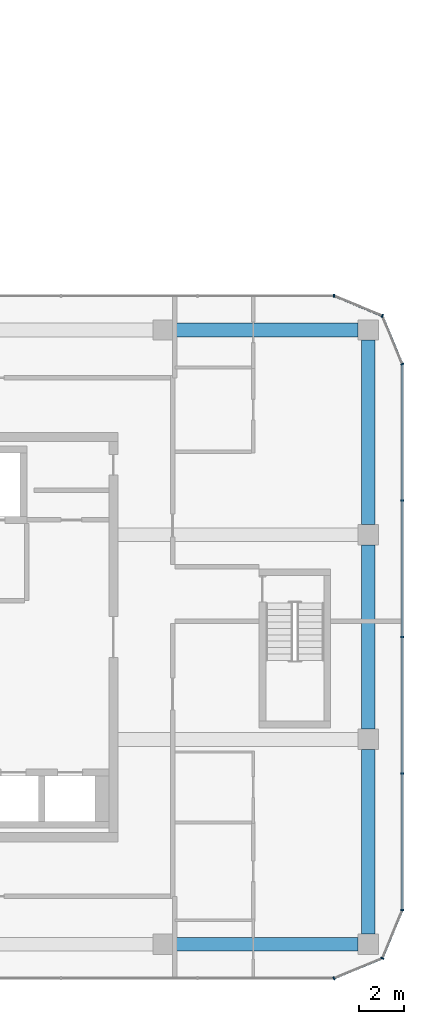
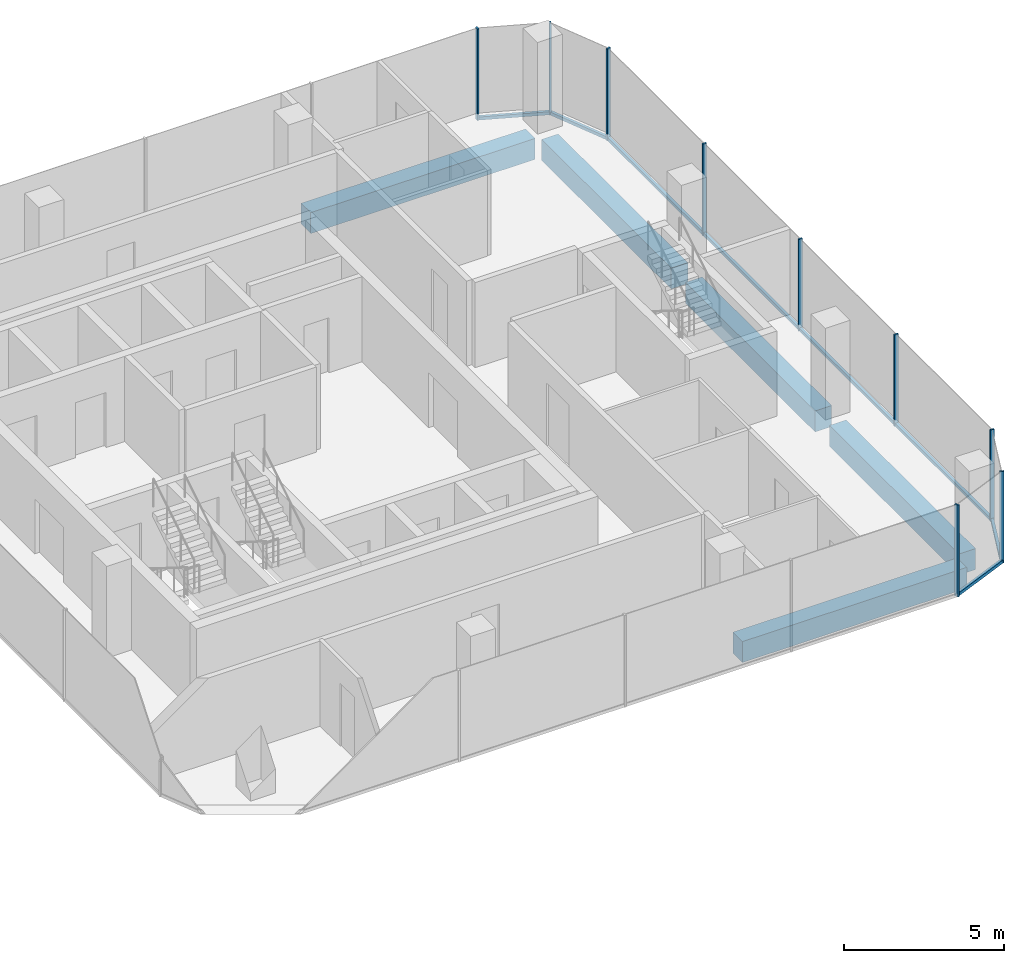
# One storey, part 10 of 22: 14 members, 5 beams, 6 elements without a shape of their own.
"""IFC4 building model written with IfcOpenShell, lengths in metres."""

from ifc_helpers import new_model, si_unit, direction, frame, origin, origin_2d, place, context, subcontext, project, spatial, rectangle, extrude, material, layer, layer_set, material_profile, profile_set, type_object, element, aggregate, save


model = new_model("IFC4")

# Units and contexts
model_context = context("Model", 3, precision=1e-05, world=origin(), true_north=direction((0.0, 1.0)))
body_context = subcontext(model_context, "Body", "Model", "MODEL_VIEW")
ifc_project = project(units=[si_unit("LENGTHUNIT", "METRE"), si_unit("AREAUNIT", "SQUARE_METRE"), si_unit("VOLUMEUNIT", "CUBIC_METRE"), si_unit("PLANEANGLEUNIT", "RADIAN"), si_unit("MASSUNIT", "GRAM", prefix="KILO")], contexts=[model_context])

# Site, building, storey
site_placement = place(None, origin())
site = spatial("IfcSite", under=ifc_project, at=site_placement, CompositionType="ELEMENT")
building_placement = place(site_placement, origin())
building = spatial("IfcBuilding", under=site, at=building_placement, Name="Plateau Cross Towers", CompositionType="ELEMENT")
storey_placement = place(building_placement, frame((0.0, 0.0, 106.300048828125)))
storey = spatial("IfcBuildingStorey", under=building, at=storey_placement, Name="L27", CompositionType="ELEMENT", Elevation=106.300048828125)

# Curtain wall, member
ifc_material_1 = material(Name="Dark low-iron glass", Category="glass")
ifc_layer = layer(ifc_material_1, 0.239990234375)
ifc_layer_set = layer_set([ifc_layer], Name="Dark low-iron glass")
curtain_wall_type = type_object("IfcCurtainWallType", Name="Curtain wall office unitised CW-F", PredefinedType="NOTDEFINED", material=ifc_layer_set)
curtain_wall_1_placement = place(storey_placement, origin())
curtain_wall_1 = element("IfcCurtainWall", 1, at=curtain_wall_1_placement, inside=storey, type_object=curtain_wall_type, Name="ENV/B/L27/B990_-60", PredefinedType="NOTDEFINED")
ifc_material_2 = material(Name="Black anodised aluminium", Category="aluminium")
ifc_material_profile_1 = material_profile(ifc_material_2, rectangle(XDim=0.06005859375, YDim=0.139892578125, at=origin_2d()), Name="MULLION 60x140")
ifc_profile_set_1 = profile_set([ifc_material_profile_1], Name="Black anodised aluminium")
member_type_1 = type_object("IfcMemberType", Name="Mullion 60x140 office unitised", PredefinedType="MULLION", material=ifc_profile_set_1)
member_1_placement = place(storey_placement, frame((99.0, -6.0, -0.25), z_axis=(0.0, 0.0, 1.0), x_axis=(0.923879457699, 0.382683612978, 0.0)))
member_1 = element("IfcMember", 2, at=member_1_placement, type_object=member_type_1, Name="CW-F mullion 1", PredefinedType="MULLION", context=body_context, shape_type="SweptSolid", body=[
    extrude(rectangle(XDim=0.06005859375, YDim=0.139892578125, at=origin_2d()), origin(), (0.0, 0.0, 1.0), 3.5),
])

curtain_wall_2_placement = place(storey_placement, origin())
curtain_wall_2 = element("IfcCurtainWall", 3, at=curtain_wall_2_placement, inside=storey, type_object=curtain_wall_type, Name="ENV/B/L27/B1011_-51", PredefinedType="NOTDEFINED")
member_2_placement = place(storey_placement, frame((101.121337890625, -5.121337890625, -0.25), z_axis=(0.0, 0.0, 1.0), x_axis=(0.382683612978, 0.923879457699, 0.0)))
member_2 = element("IfcMember", 4, at=member_2_placement, type_object=member_type_1, Name="CW-F mullion 1", PredefinedType="MULLION", context=body_context, shape_type="SweptSolid", body=[
    extrude(rectangle(XDim=0.06005859375, YDim=0.139892578125, at=origin_2d()), origin(), (0.0, 0.0, 1.0), 3.5),
])

# Curtain wall, members
curtain_wall_3_placement = place(storey_placement, origin())
curtain_wall_3 = element("IfcCurtainWall", 5, at=curtain_wall_3_placement, inside=storey, type_object=curtain_wall_type, Name="ENV/B/L27/B1020_-30", PredefinedType="NOTDEFINED")
member_3_placement = place(storey_placement, frame((102.0, -3.0, -0.25), z_axis=(0.0, 0.0, 1.0), x_axis=(0.0, 1.0, 0.0)))
member_3 = element("IfcMember", 6, at=member_3_placement, type_object=member_type_1, Name="CW-F mullion 1", PredefinedType="MULLION", context=body_context, shape_type="SweptSolid", body=[
    extrude(rectangle(XDim=0.06005859375, YDim=0.139892578125, at=origin_2d()), origin(), (0.0, 0.0, 1.0), 3.5),
])
member_4_placement = place(storey_placement, frame((102.0, 3.0, -0.25), z_axis=(0.0, 0.0, 1.0), x_axis=(0.0, 1.0, 0.0)))
member_4 = element("IfcMember", 7, at=member_4_placement, type_object=member_type_1, Name="CW-F mullion 2", PredefinedType="MULLION", context=body_context, shape_type="SweptSolid", body=[
    extrude(rectangle(XDim=0.06005859375, YDim=0.139892578125, at=origin_2d()), origin(), (0.0, 0.0, 1.0), 3.5),
])
member_5_placement = place(storey_placement, frame((102.0, 9.0, -0.25), z_axis=(0.0, 0.0, 1.0), x_axis=(0.0, 1.0, 0.0)))
member_5 = element("IfcMember", 8, at=member_5_placement, type_object=member_type_1, Name="CW-F mullion 3", PredefinedType="MULLION", context=body_context, shape_type="SweptSolid", body=[
    extrude(rectangle(XDim=0.06005859375, YDim=0.139892578125, at=origin_2d()), origin(), (0.0, 0.0, 1.0), 3.5),
])
member_6_placement = place(storey_placement, frame((102.0, 15.0, -0.25), z_axis=(0.0, 0.0, 1.0), x_axis=(0.0, 1.0, 0.0)))
member_6 = element("IfcMember", 9, at=member_6_placement, type_object=member_type_1, Name="CW-F mullion 4", PredefinedType="MULLION", context=body_context, shape_type="SweptSolid", body=[
    extrude(rectangle(XDim=0.06005859375, YDim=0.139892578125, at=origin_2d()), origin(), (0.0, 0.0, 1.0), 3.5),
])

# Curtain wall, member
curtain_wall_4_placement = place(storey_placement, origin())
curtain_wall_4 = element("IfcCurtainWall", 10, at=curtain_wall_4_placement, inside=storey, type_object=curtain_wall_type, Name="ENV/B/L27/B1020_210", PredefinedType="NOTDEFINED")
member_7_placement = place(storey_placement, frame((102.0, 21.0, -0.25), z_axis=(0.0, 0.0, 1.0), x_axis=(-0.382683612978, 0.923879457699, 0.0)))
member_7 = element("IfcMember", 11, at=member_7_placement, type_object=member_type_1, Name="CW-F mullion 1", PredefinedType="MULLION", context=body_context, shape_type="SweptSolid", body=[
    extrude(rectangle(XDim=0.06005859375, YDim=0.139892578125, at=origin_2d()), origin(), (0.0, 0.0, 1.0), 3.5),
])

curtain_wall_5_placement = place(storey_placement, origin())
curtain_wall_5 = element("IfcCurtainWall", 12, at=curtain_wall_5_placement, inside=storey, type_object=curtain_wall_type, Name="ENV/B/L27/B1011_231", PredefinedType="NOTDEFINED")
member_8_placement = place(storey_placement, frame((101.121337890625, 23.121337890625, -0.25), z_axis=(0.0, 0.0, 1.0), x_axis=(-0.923879457699, 0.382683612978, 0.0)))
member_8 = element("IfcMember", 13, at=member_8_placement, type_object=member_type_1, Name="CW-F mullion 1", PredefinedType="MULLION", context=body_context, shape_type="SweptSolid", body=[
    extrude(rectangle(XDim=0.06005859375, YDim=0.139892578125, at=origin_2d()), origin(), (0.0, 0.0, 1.0), 3.5),
])

curtain_wall_6_placement = place(storey_placement, origin())
curtain_wall_6 = element("IfcCurtainWall", 14, at=curtain_wall_6_placement, inside=storey, type_object=curtain_wall_type, Name="ENV/B/L27/B990_240", PredefinedType="NOTDEFINED")
member_9_placement = place(storey_placement, frame((99.0, 24.0, -0.25), z_axis=(0.0, 0.0, 1.0), x_axis=(-1.0, 0.0, 0.0)))
member_9 = element("IfcMember", 15, at=member_9_placement, type_object=member_type_1, Name="CW-F mullion 1", PredefinedType="MULLION", context=body_context, shape_type="SweptSolid", body=[
    extrude(rectangle(XDim=0.06005859375, YDim=0.139892578125, at=origin_2d()), origin(), (0.0, 0.0, 1.0), 3.5),
])
aggregate(curtain_wall_6, [member_9])

# Beams
ifc_material_3 = material(Name="Concrete C60/75", Category="concrete")
ifc_material_profile_2 = material_profile(ifc_material_3, rectangle(XDim=0.60009765625, YDim=0.800048828125, at=origin_2d()), Name="RC 600x800")
ifc_profile_set_2 = profile_set([ifc_material_profile_2], Name="Concrete C60/75")
beam_type = type_object("IfcBeamType", Name="Ring beam RC 600x800", PredefinedType="BEAM", material=ifc_profile_set_2)
for number, where, z_axis, x_axis, name in (
    (16, (91.949951171875, -4.5, -0.650146484375), (1.0, 0.0, 0.0), (0.0, 1.0, 0.0), "B-RB02@L27"),
    (17, (100.5, -4.050048828125, -0.650146484375), (0.0, 1.0, 0.0), (-1.0, 0.0, 0.0), "B-RB03@L27"),
    (18, (100.5, 4.949951171875, -0.650146484375), (0.0, 1.0, 0.0), (-1.0, 0.0, 0.0), "B-RB04@L27"),
    (19, (100.5, 13.949951171875, -0.650146484375), (0.0, 1.0, 0.0), (-1.0, 0.0, 0.0), "B-RB05@L27"),
    (20, (100.050048828125, 22.5, -0.650146484375), (-1.0, 0.0, 0.0), (0.0, -1.0, 0.0), "B-RB06@L27"),
):
    element("IfcBeam", number, at=place(storey_placement, frame(where, z_axis=z_axis, x_axis=x_axis)), inside=storey, type_object=beam_type, Name=name, PredefinedType="BEAM", context=body_context, shape_type="SweptSolid", body=[
        extrude(rectangle(XDim=0.60009765625, YDim=0.800048828125, at=origin_2d()), origin(), (0.0, 0.0, 1.0), 8.10009765625),
    ])

# Member
ifc_material_profile_3 = material_profile(ifc_material_2, rectangle(XDim=0.10009765625, YDim=0.1201171875, at=origin_2d()), Name="TRANSOM 100x120")
ifc_profile_set_3 = profile_set([ifc_material_profile_3], Name="Black anodised aluminium")
member_type_2 = type_object("IfcMemberType", Name="Transom 100x120 office unitised", PredefinedType="USERDEFINED", material=ifc_profile_set_3)
member_10_placement = place(storey_placement, frame((99.0, -6.0, -0.18994140625), z_axis=(0.923883353507, 0.382674207535, 0.0), x_axis=(-0.382674207535, 0.923883353507, 0.0)))
member_10 = element("IfcMember", 21, at=member_10_placement, type_object=member_type_2, Name="CW-F transom", ObjectType="TRANSOM", PredefinedType="USERDEFINED", context=body_context, shape_type="SweptSolid", body=[
    extrude(rectangle(XDim=0.10009765625, YDim=0.1201171875, at=origin_2d()), origin(), (0.0, 0.0, 1.0), 2.296142578125),
])

aggregate(curtain_wall_1, [member_1, member_10])

member_11_placement = place(storey_placement, frame((101.121337890625, -5.121337890625, -0.18994140625), z_axis=(0.382674207535, 0.923883353507, 0.0), x_axis=(-0.923883353507, 0.382674207535, 0.0)))
member_11 = element("IfcMember", 22, at=member_11_placement, type_object=member_type_2, Name="CW-F transom", ObjectType="TRANSOM", PredefinedType="USERDEFINED", context=body_context, shape_type="SweptSolid", body=[
    extrude(rectangle(XDim=0.10009765625, YDim=0.1201171875, at=origin_2d()), origin(), (0.0, 0.0, 1.0), 2.296142578125),
])

aggregate(curtain_wall_2, [member_2, member_11])

member_12_placement = place(storey_placement, frame((102.0, -3.0, -0.18994140625), z_axis=(0.0, 1.0, 0.0), x_axis=(-1.0, 0.0, 0.0)))
member_12 = element("IfcMember", 23, at=member_12_placement, type_object=member_type_2, Name="CW-F transom", ObjectType="TRANSOM", PredefinedType="USERDEFINED", context=body_context, shape_type="SweptSolid", body=[
    extrude(rectangle(XDim=0.10009765625, YDim=0.1201171875, at=origin_2d()), origin(), (0.0, 0.0, 1.0), 24.0),
])

aggregate(curtain_wall_3, [member_3, member_4, member_5, member_6, member_12])

member_13_placement = place(storey_placement, frame((102.0, 21.0, -0.18994140625), z_axis=(-0.382674207535, 0.923883353507, 0.0), x_axis=(-0.923883353507, -0.382674207535, 0.0)))
member_13 = element("IfcMember", 24, at=member_13_placement, type_object=member_type_2, Name="CW-F transom", ObjectType="TRANSOM", PredefinedType="USERDEFINED", context=body_context, shape_type="SweptSolid", body=[
    extrude(rectangle(XDim=0.10009765625, YDim=0.1201171875, at=origin_2d()), origin(), (0.0, 0.0, 1.0), 2.296142578125),
])

aggregate(curtain_wall_4, [member_7, member_13])

member_14_placement = place(storey_placement, frame((101.121337890625, 23.121337890625, -0.18994140625), z_axis=(-0.923883353507, 0.382674207535, 0.0), x_axis=(-0.382674207535, -0.923883353507, 0.0)))
member_14 = element("IfcMember", 25, at=member_14_placement, type_object=member_type_2, Name="CW-F transom", ObjectType="TRANSOM", PredefinedType="USERDEFINED", context=body_context, shape_type="SweptSolid", body=[
    extrude(rectangle(XDim=0.10009765625, YDim=0.1201171875, at=origin_2d()), origin(), (0.0, 0.0, 1.0), 2.296142578125),
])

aggregate(curtain_wall_5, [member_8, member_14])

save(model, "model.ifc")
